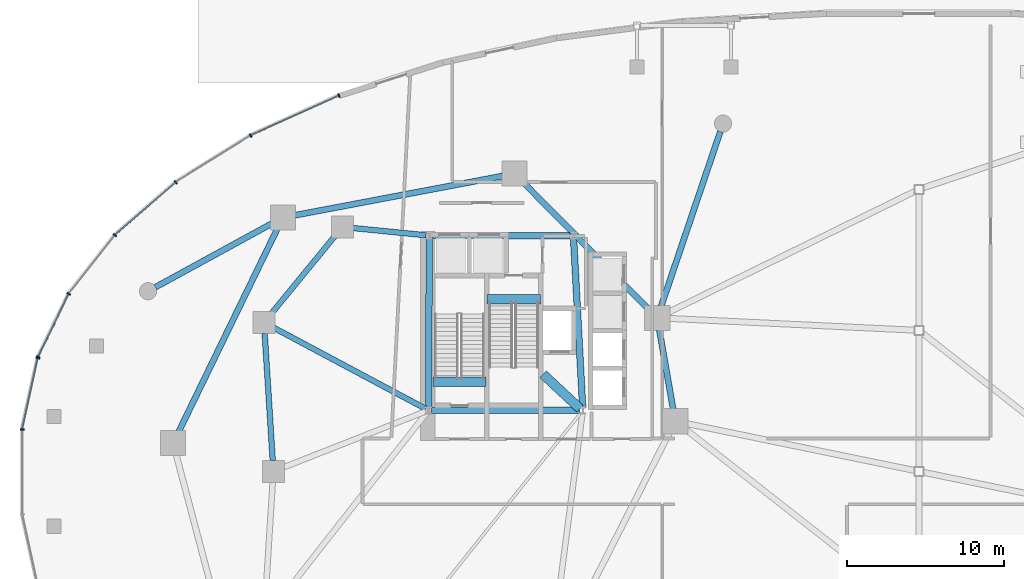
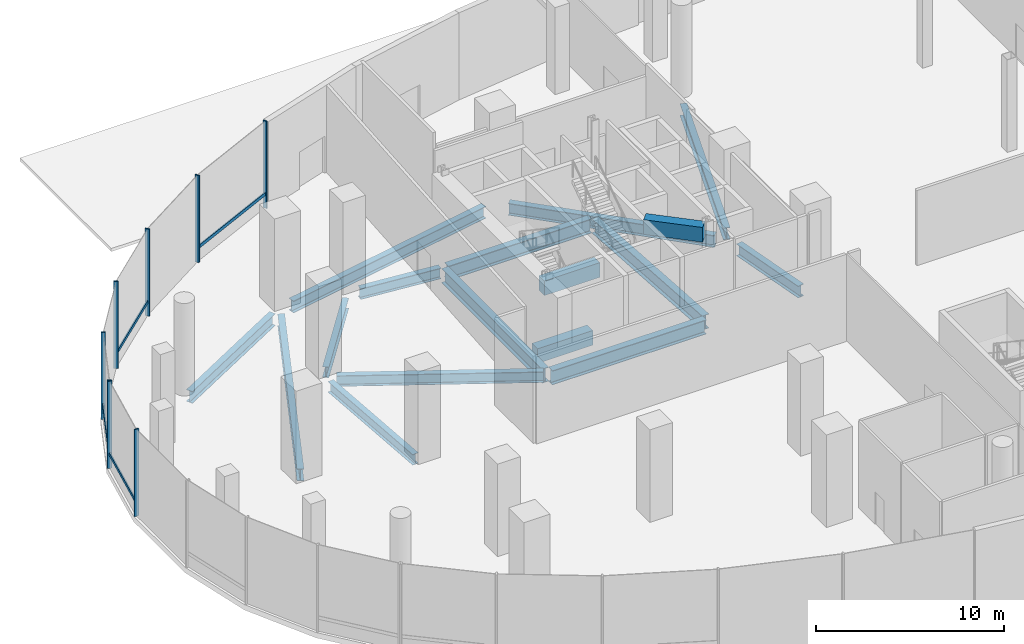
# One storey, part 5 of 20: 17 beams, 12 members, 2 elements without a shape of their own.
"""IFC4 building model written with IfcOpenShell, lengths in metres."""

from ifc_helpers import new_model, si_unit, direction, frame, origin, origin_2d, place, context, subcontext, project, spatial, rectangle, i_section, extrude, material, material_profile, profile_set, type_object, element, aggregate, save


model = new_model("IFC4")

# Units and contexts
model_context = context("Model", 3, precision=1e-05, world=origin(), true_north=direction((0.0, 1.0)))
body_context = subcontext(model_context, "Body", "Model", "MODEL_VIEW")
ifc_project = project(units=[si_unit("LENGTHUNIT", "METRE"), si_unit("AREAUNIT", "SQUARE_METRE"), si_unit("VOLUMEUNIT", "CUBIC_METRE"), si_unit("PLANEANGLEUNIT", "RADIAN"), si_unit("MASSUNIT", "GRAM", prefix="KILO"), si_unit("THERMODYNAMICTEMPERATUREUNIT", "KELVIN"), si_unit("POWERUNIT", "WATT")], contexts=[model_context])

# Site, building, storey
site_placement = place(None, origin())
site = spatial("IfcSite", under=ifc_project, at=site_placement, CompositionType="ELEMENT")
building_placement = place(site_placement, origin())
building = spatial("IfcBuilding", under=site, at=building_placement, Name="Cundina Bronze Exchange", CompositionType="ELEMENT")
storey_placement = place(building_placement, origin())
storey = spatial("IfcBuildingStorey", under=building, at=storey_placement, Name="L00", CompositionType="ELEMENT", Elevation=0.0)

# Beams
ifc_material_1 = material(Name="Concrete C60/75", Category="concrete")
ifc_material_profile_1 = material_profile(ifc_material_1, rectangle(XDim=0.60009765625, YDim=0.949951171875, at=origin_2d()), Name="RC600X950", Category="concrete")
ifc_profile_set_1 = profile_set([ifc_material_profile_1], Name="Concrete C60/75")
beam_type_1 = type_object("IfcBeamType", Name="BM-COUP-RC950", PredefinedType="LINTEL", material=ifc_profile_set_1)
beam_1_placement = place(storey_placement, frame((-31.02001953125, 5.719970703125, -0.47509765625), z_axis=(1.0, 0.0, 0.0), x_axis=(0.0, 1.0, 0.0)))
element("IfcBeam", 1, at=beam_1_placement, inside=storey, type_object=beam_type_1, Name="L00 Stair W1 Landing Header Beam", PredefinedType="LINTEL", context=body_context, shape_type="SweptSolid", body=[
    extrude(rectangle(XDim=0.60009765625, YDim=0.949951171875, at=origin_2d()), origin(), (0.0, 0.0, 1.0), 3.39990234375),
])
beam_2_placement = place(storey_placement, frame((-27.56005859375, 10.97998046875, -0.47509765625), z_axis=(1.0, 0.0, 0.0), x_axis=(0.0, 1.0, 0.0)))
element("IfcBeam", 2, at=beam_2_placement, inside=storey, type_object=beam_type_1, Name="L00 Stair W2 Landing Header Beam", PredefinedType="LINTEL", context=body_context, shape_type="SweptSolid", body=[
    extrude(rectangle(XDim=0.60009765625, YDim=0.949951171875, at=origin_2d()), origin(), (0.0, 0.0, 1.0), 3.400146484375),
])
beam_3_placement = place(storey_placement, frame((-23.989990234375, 6.199951171875, 5.175048828125), z_axis=(0.731490439815, -0.681851696822, 0.0), x_axis=(0.681851696822, 0.731490439815, 0.0)))
element("IfcBeam", 3, at=beam_3_placement, inside=storey, type_object=beam_type_1, Name="L00 W Core Shear Coupling Lintel Beam", PredefinedType="LINTEL", context=body_context, shape_type="SweptSolid", body=[
    extrude(rectangle(XDim=0.60009765625, YDim=0.949951171875, at=origin_2d()), origin(), (0.0, 0.0, 1.0), 3.226318359375),
])
ifc_material_2 = material(Name="Steel ASTM A992 Grade 50", Category="steel")
ifc_material_profile_2 = material_profile(ifc_material_2, i_section(OverallWidth=0.35498046875, OverallDepth=0.695068359375, WebThickness=0.015380859375, FlangeThickness=0.02490234375, FilletRadius=0.01806640625, at=origin_2d()), Name="W27X146", Category="steel")
ifc_profile_set_2 = profile_set([ifc_material_profile_2], Name="Steel ASTM A992 Grade 50")
beam_type_2 = type_object("IfcBeamType", Name="BM-RING-W27", PredefinedType="USERDEFINED", material=ifc_profile_set_2)
beam_4_placement = place(storey_placement, frame((-31.452880859375, 15.070068359375, -0.697509765625), z_axis=(-0.995123484374, 0.098636964914, 0.0), x_axis=(-0.098636964914, -0.995123484374, 0.0)))
element("IfcBeam", 4, at=beam_4_placement, inside=storey, type_object=beam_type_2, Name="L00 W Inner Structural Ring Girder 01", ObjectType="GIRDER", PredefinedType="USERDEFINED", context=body_context, shape_type="SweptSolid", body=[
    extrude(i_section(OverallWidth=0.35498046875, OverallDepth=0.695068359375, WebThickness=0.015380859375, FlangeThickness=0.02490234375, FilletRadius=0.01806640625, at=origin_2d()), origin(), (0.0, 0.0, 1.0), 4.685546875),
])
beam_5_placement = place(storey_placement, frame((-37.236083984375, 15.06787109375, -0.697509765625), z_axis=(-0.633941925234, -0.773380653644, 0.0), x_axis=(0.773380653644, -0.633941925234, 0.0)))
element("IfcBeam", 5, at=beam_5_placement, inside=storey, type_object=beam_type_2, Name="L00 W Inner Structural Ring Girder 02", ObjectType="GIRDER", PredefinedType="USERDEFINED", context=body_context, shape_type="SweptSolid", body=[
    extrude(i_section(OverallWidth=0.35498046875, OverallDepth=0.695068359375, WebThickness=0.015380859375, FlangeThickness=0.02490234375, FilletRadius=0.01806640625, at=origin_2d()), origin(), (0.0, 0.0, 1.0), 6.511474609375),
])
beam_6_placement = place(storey_placement, frame((-41.756591796875, 8.8134765625, -0.697509765625), z_axis=(0.063020359641, -0.998012241544, 0.0), x_axis=(0.998012241544, 0.063020359641, 0.0)))
element("IfcBeam", 6, at=beam_6_placement, inside=storey, type_object=beam_type_2, Name="L00 W Inner Structural Ring Girder 03", ObjectType="GIRDER", PredefinedType="USERDEFINED", context=body_context, shape_type="SweptSolid", body=[
    extrude(i_section(OverallWidth=0.35498046875, OverallDepth=0.695068359375, WebThickness=0.015380859375, FlangeThickness=0.02490234375, FilletRadius=0.01806640625, at=origin_2d()), origin(), (0.0, 0.0, 1.0), 8.14306640625),
])
beam_7_placement = place(storey_placement, frame((-31.47998046875, 3.99609375, -0.697509765625), z_axis=(-0.882354169055, 0.470585933014, 0.0), x_axis=(-0.470585933014, -0.882354169055, 0.0)))
element("IfcBeam", 7, at=beam_7_placement, inside=storey, type_object=beam_type_2, Name="L00 W Core-to-Waist Tie Beam 2", ObjectType="GIRDER", PredefinedType="USERDEFINED", context=body_context, shape_type="SweptSolid", body=[
    extrude(i_section(OverallWidth=0.35498046875, OverallDepth=0.695068359375, WebThickness=0.015380859375, FlangeThickness=0.02490234375, FilletRadius=0.01806640625, at=origin_2d()), origin(), (0.0, 0.0, 1.0), 11.0078125),
])
ifc_material_profile_3 = material_profile(ifc_material_2, i_section(OverallWidth=0.381103515625, OverallDepth=0.77294921875, WebThickness=0.0166015625, FlangeThickness=0.027099609375, FilletRadius=0.01904296875, at=origin_2d()), Name="W30X173", Category="steel")
ifc_profile_set_3 = profile_set([ifc_material_profile_3], Name="Steel ASTM A992 Grade 50")
beam_type_3 = type_object("IfcBeamType", Name="BM-RING-W30", PredefinedType="USERDEFINED", material=ifc_profile_set_3)
beam_8_placement = place(storey_placement, frame((-48.727783203125, 11.758056640625, -0.736572265625), z_axis=(0.877507733759, 0.479562485182, 0.0), x_axis=(-0.479562485182, 0.877507733759, 0.0)))
element("IfcBeam", 8, at=beam_8_placement, inside=storey, type_object=beam_type_3, Name="L00 Podium Colonnade Tie Beam 01", ObjectType="GIRDER", PredefinedType="USERDEFINED", context=body_context, shape_type="SweptSolid", body=[
    extrude(i_section(OverallWidth=0.381103515625, OverallDepth=0.77294921875, WebThickness=0.0166015625, FlangeThickness=0.027099609375, FilletRadius=0.01904296875, at=origin_2d()), origin(), (0.0, 0.0, 1.0), 8.474365234375),
])
beam_9_placement = place(storey_placement, frame((-12.672607421875, 21.6904296875, -0.736572265625), z_axis=(-0.320811837352, -0.947142948564, 0.0), x_axis=(0.947142948564, -0.320811837352, 0.0)))
element("IfcBeam", 9, at=beam_9_placement, inside=storey, type_object=beam_type_3, Name="L00 Podium Colonnade Tie Beam 03", ObjectType="GIRDER", PredefinedType="USERDEFINED", context=body_context, shape_type="SweptSolid", body=[
    extrude(i_section(OverallWidth=0.381103515625, OverallDepth=0.77294921875, WebThickness=0.0166015625, FlangeThickness=0.027099609375, FilletRadius=0.01904296875, at=origin_2d()), origin(), (0.0, 0.0, 1.0), 11.765869140625),
])
beam_10_placement = place(storey_placement, frame((-15.685302734375, 3.976318359375, -0.736572265625), z_axis=(-0.171642817546, 0.985159247627, 0.0), x_axis=(-0.985159247627, -0.171642817546, 0.0)))
element("IfcBeam", 10, at=beam_10_placement, inside=storey, type_object=beam_type_3, Name="L00 W Podium Ring Girder 00", ObjectType="GIRDER", PredefinedType="USERDEFINED", context=body_context, shape_type="SweptSolid", body=[
    extrude(i_section(OverallWidth=0.381103515625, OverallDepth=0.77294921875, WebThickness=0.0166015625, FlangeThickness=0.027099609375, FilletRadius=0.01904296875, at=origin_2d()), origin(), (0.0, 0.0, 1.0), 5.123291015625),
])
beam_11_placement = place(storey_placement, frame((-17.254150390625, 10.360107421875, -0.736572265625), z_axis=(-0.703229241487, 0.710963173391, 0.0), x_axis=(-0.710963173391, -0.703229241487, 0.0)))
element("IfcBeam", 11, at=beam_11_placement, inside=storey, type_object=beam_type_3, Name="L00 W Podium Ring Girder 02", ObjectType="GIRDER", PredefinedType="USERDEFINED", context=body_context, shape_type="SweptSolid", body=[
    extrude(i_section(OverallWidth=0.381103515625, OverallDepth=0.77294921875, WebThickness=0.0166015625, FlangeThickness=0.027099609375, FilletRadius=0.01904296875, at=origin_2d()), origin(), (0.0, 0.0, 1.0), 11.3642578125),
])
beam_12_placement = place(storey_placement, frame((-26.57421875, 18.853515625, -0.736572265625), z_axis=(-0.982569620145, -0.185894974562, 0.0), x_axis=(0.185894974562, -0.982569620145, 0.0)))
element("IfcBeam", 12, at=beam_12_placement, inside=storey, type_object=beam_type_3, Name="L00 W Podium Ring Girder 04", ObjectType="GIRDER", PredefinedType="USERDEFINED", context=body_context, shape_type="SweptSolid", body=[
    extrude(i_section(OverallWidth=0.381103515625, OverallDepth=0.77294921875, WebThickness=0.0166015625, FlangeThickness=0.027099609375, FilletRadius=0.01904296875, at=origin_2d()), origin(), (0.0, 0.0, 1.0), 13.486572265625),
])
beam_13_placement = place(storey_placement, frame((-40.944580078125, 15.4912109375, -0.736572265625), z_axis=(-0.437200307007, -0.899364159589, 0.0), x_axis=(0.899364159589, -0.437200307007, 0.0)))
element("IfcBeam", 13, at=beam_13_placement, inside=storey, type_object=beam_type_3, Name="L00 W Podium Ring Girder 06", ObjectType="GIRDER", PredefinedType="USERDEFINED", context=body_context, shape_type="SweptSolid", body=[
    extrude(i_section(OverallWidth=0.381103515625, OverallDepth=0.77294921875, WebThickness=0.0166015625, FlangeThickness=0.027099609375, FilletRadius=0.01904296875, at=origin_2d()), origin(), (0.0, 0.0, 1.0), 14.43505859375),
])
ifc_material_profile_4 = material_profile(ifc_material_2, i_section(OverallWidth=0.41796875, OverallDepth=0.927001953125, WebThickness=0.019287109375, FlangeThickness=0.031982421875, FilletRadius=0.02392578125, at=origin_2d()), Name="W36X231", Category="steel")
ifc_profile_set_4 = profile_set([ifc_material_profile_4], Name="Steel ASTM A992 Grade 50")
beam_type_4 = type_object("IfcBeamType", Name="BM-WRN-W36B", PredefinedType="USERDEFINED", material=ifc_profile_set_4)
beam_14_placement = place(storey_placement, frame((-31.095947265625, 3.89990234375, -0.8134765625), z_axis=(1.0, 0.0, 0.0), x_axis=(0.0, 1.0, 0.0)))
element("IfcBeam", 14, at=beam_14_placement, inside=storey, type_object=beam_type_4, Name="L00 W Core Perimeter Tie Girder 1", ObjectType="GIRDER", PredefinedType="USERDEFINED", context=body_context, shape_type="SweptSolid", body=[
    extrude(i_section(OverallWidth=0.41796875, OverallDepth=0.927001953125, WebThickness=0.019287109375, FlangeThickness=0.031982421875, FilletRadius=0.02392578125, at=origin_2d()), origin(), (0.0, 0.0, 1.0), 9.44189453125),
])
beam_15_placement = place(storey_placement, frame((-21.4609375, 4.103759765625, -0.8134765625), z_axis=(-0.053739193498, 0.998555005537, 0.0), x_axis=(-0.998555005537, -0.053739193498, 0.0)))
element("IfcBeam", 15, at=beam_15_placement, inside=storey, type_object=beam_type_4, Name="L00 W Core Perimeter Tie Girder 2", ObjectType="GIRDER", PredefinedType="USERDEFINED", context=body_context, shape_type="SweptSolid", body=[
    extrude(i_section(OverallWidth=0.41796875, OverallDepth=0.927001953125, WebThickness=0.019287109375, FlangeThickness=0.031982421875, FilletRadius=0.02392578125, at=origin_2d()), origin(), (0.0, 0.0, 1.0), 10.758056640625),
])
beam_16_placement = place(storey_placement, frame((-22.25390625, 15.050048828125, -0.8134765625), z_axis=(-1.0, 0.0, 0.0), x_axis=(0.0, -1.0, 0.0)))
element("IfcBeam", 16, at=beam_16_placement, inside=storey, type_object=beam_type_4, Name="L00 W Core Perimeter Tie Girder 3", ObjectType="GIRDER", PredefinedType="USERDEFINED", context=body_context, shape_type="SweptSolid", body=[
    extrude(i_section(OverallWidth=0.41796875, OverallDepth=0.927001953125, WebThickness=0.019287109375, FlangeThickness=0.031982421875, FilletRadius=0.02392578125, at=origin_2d()), origin(), (0.0, 0.0, 1.0), 8.7919921875),
])
beam_17_placement = place(storey_placement, frame((-31.2509765625, 14.845947265625, -0.8134765625), z_axis=(-0.004477329608, -0.99998997671, 0.0), x_axis=(0.99998997671, -0.004477329608, 0.0)))
element("IfcBeam", 17, at=beam_17_placement, inside=storey, type_object=beam_type_4, Name="L00 W Core Perimeter Tie Girder 4", ObjectType="GIRDER", PredefinedType="USERDEFINED", context=body_context, shape_type="SweptSolid", body=[
    extrude(i_section(OverallWidth=0.41796875, OverallDepth=0.927001953125, WebThickness=0.019287109375, FlangeThickness=0.031982421875, FilletRadius=0.02392578125, at=origin_2d()), origin(), (0.0, 0.0, 1.0), 10.741943359375),
])

# Curtain wall, members
ifc_material_3 = material(Name="Anodised Bronze Aluminium 6063-T6", Category="aluminium")
curtain_wall_type = type_object("IfcCurtainWallType", Name="CWS-POD-CONC", PredefinedType="NOTDEFINED", material=ifc_material_3)
curtain_wall_1_placement = place(storey_placement, origin())
curtain_wall_1 = element("IfcCurtainWall", 18, at=curtain_wall_1_placement, inside=storey, type_object=curtain_wall_type, Name="L00 CW-01 Curtain Wall Run CWR-L00-03", PredefinedType="NOTDEFINED")
ifc_material_profile_5 = material_profile(ifc_material_3, rectangle(XDim=0.0849609375, YDim=0.25, at=origin_2d()), Name="AL85X250", Category="aluminium")
ifc_profile_set_5 = profile_set([ifc_material_profile_5], Name="Anodised Bronze Aluminium 6063-T6")
member_type_1 = type_object("IfcMemberType", Name="CWM-MUL-250", PredefinedType="MULLION", material=ifc_profile_set_5)
member_1_placement = place(storey_placement, frame((-37.013671875, 23.990478515625, 0.0), z_axis=(0.0, 0.0, 1.0), x_axis=(-0.911618620107, -0.411037092578, 0.0)))
member_1 = element("IfcMember", 19, at=member_1_placement, type_object=member_type_1, Name="CW-01 Mullion 1", PredefinedType="MULLION", context=body_context, shape_type="SweptSolid", body=[
    extrude(rectangle(XDim=0.0849609375, YDim=0.25, at=origin_2d()), origin(), (0.0, 0.0, 1.0), 5.64990234375),
])
member_2_placement = place(storey_placement, frame((-42.654052734375, 21.4404296875, 0.0), z_axis=(0.0, 0.0, 1.0), x_axis=(-0.849248260906, -0.527993741769, 0.0)))
member_2 = element("IfcMember", 20, at=member_2_placement, type_object=member_type_1, Name="CW-01 Mullion 2", PredefinedType="MULLION", context=body_context, shape_type="SweptSolid", body=[
    extrude(rectangle(XDim=0.0849609375, YDim=0.25, at=origin_2d()), origin(), (0.0, 0.0, 1.0), 5.64990234375),
])
member_3_placement = place(storey_placement, frame((-47.43701171875, 18.45849609375, 0.0), z_axis=(0.0, 0.0, 1.0), x_axis=(-0.755510544084, -0.6551364879, 0.0)))
member_3 = element("IfcMember", 21, at=member_3_placement, type_object=member_type_1, Name="CW-01 Mullion 3", PredefinedType="MULLION", context=body_context, shape_type="SweptSolid", body=[
    extrude(rectangle(XDim=0.0849609375, YDim=0.25, at=origin_2d()), origin(), (0.0, 0.0, 1.0), 5.64990234375),
])
member_4_placement = place(storey_placement, frame((-51.320068359375, 15.08056640625, 0.0), z_axis=(0.0, 0.0, 1.0), x_axis=(-0.61950505541, -0.784992666412, 0.0)))
member_4 = element("IfcMember", 22, at=member_4_placement, type_object=member_type_1, Name="CW-01 Mullion 4", PredefinedType="MULLION", context=body_context, shape_type="SweptSolid", body=[
    extrude(rectangle(XDim=0.0849609375, YDim=0.25, at=origin_2d()), origin(), (0.0, 0.0, 1.0), 5.64990234375),
])
member_5_placement = place(storey_placement, frame((-54.263427734375, 11.335205078125, 0.0), z_axis=(0.0, 0.0, 1.0), x_axis=(-0.435702445497, -0.900090761528, 0.0)))
member_5 = element("IfcMember", 23, at=member_5_placement, type_object=member_type_1, Name="CW-01 Mullion 5", PredefinedType="MULLION", context=body_context, shape_type="SweptSolid", body=[
    extrude(rectangle(XDim=0.0849609375, YDim=0.25, at=origin_2d()), origin(), (0.0, 0.0, 1.0), 5.64990234375),
])
member_6_placement = place(storey_placement, frame((-56.211669921875, 7.311279296875, 0.0), z_axis=(0.0, 0.0, 1.0), x_axis=(-0.435702445497, -0.900090761528, 0.0)))
member_6 = element("IfcMember", 24, at=member_6_placement, type_object=member_type_1, Name="CW-01 End Mullion", PredefinedType="MULLION", context=body_context, shape_type="SweptSolid", body=[
    extrude(rectangle(XDim=0.0849609375, YDim=0.25, at=origin_2d()), origin(), (0.0, 0.0, 1.0), 5.64990234375),
])

curtain_wall_2_placement = place(storey_placement, origin())
curtain_wall_2 = element("IfcCurtainWall", 25, at=curtain_wall_2_placement, inside=storey, type_object=curtain_wall_type, Name="L00 CW-01 Curtain Wall Run CWR-L00-04", PredefinedType="NOTDEFINED")
member_7_placement = place(storey_placement, frame((-56.239013671875, 7.231689453125, 0.0), z_axis=(0.0, 0.0, 1.0), x_axis=(-0.214564862428, -0.976709741843, 0.0)))
member_7 = element("IfcMember", 26, at=member_7_placement, type_object=member_type_1, Name="CW-01 Mullion 1", PredefinedType="MULLION", context=body_context, shape_type="SweptSolid", body=[
    extrude(rectangle(XDim=0.0849609375, YDim=0.25, at=origin_2d()), origin(), (0.0, 0.0, 1.0), 5.64990234375),
])
member_8_placement = place(storey_placement, frame((-57.22900390625, 2.680419921875, 0.0), z_axis=(0.0, 0.0, 1.0), x_axis=(0.0, -1.0, 0.0)))
member_8 = element("IfcMember", 27, at=member_8_placement, type_object=member_type_1, Name="CW-01 Mullion 2", PredefinedType="MULLION", context=body_context, shape_type="SweptSolid", body=[
    extrude(rectangle(XDim=0.0849609375, YDim=0.25, at=origin_2d()), origin(), (0.0, 0.0, 1.0), 5.64990234375),
])

# Member
ifc_material_profile_6 = material_profile(ifc_material_3, rectangle(XDim=0.080078125, YDim=0.2099609375, at=origin_2d()), Name="AL80X210", Category="aluminium")
ifc_profile_set_6 = profile_set([ifc_material_profile_6], Name="Anodised Bronze Aluminium 6063-T6")
member_type_2 = type_object("IfcMemberType", Name="CWM-TRN-210", PredefinedType="USERDEFINED", material=ifc_profile_set_6)
member_9_placement = place(storey_placement, frame((-37.056396484375, 23.97119140625, 0.919921875), z_axis=(-0.911641535198, -0.410986266561, 0.0), x_axis=(0.410986266561, -0.911641535198, 0.0)))
member_9 = element("IfcMember", 28, at=member_9_placement, type_object=member_type_2, Name="CW-01 Spandrel Transom 1", ObjectType="TRANSOM", PredefinedType="USERDEFINED", context=body_context, shape_type="SweptSolid", body=[
    extrude(rectangle(XDim=0.080078125, YDim=0.2099609375, at=origin_2d()), origin(), (0.0, 0.0, 1.0), 6.090576171875),
])

member_10_placement = place(storey_placement, frame((-47.472412109375, 18.427734375, 0.919921875), z_axis=(-0.755563201238, -0.655075758164, 0.0), x_axis=(0.655075758164, -0.755563201238, 0.0)))
member_10 = element("IfcMember", 29, at=member_10_placement, type_object=member_type_2, Name="CW-01 Spandrel Transom 3", ObjectType="TRANSOM", PredefinedType="USERDEFINED", context=body_context, shape_type="SweptSolid", body=[
    extrude(rectangle(XDim=0.080078125, YDim=0.2099609375, at=origin_2d()), origin(), (0.0, 0.0, 1.0), 5.055908203125),
])

member_11_placement = place(storey_placement, frame((-54.28369140625, 11.293212890625, 0.919921875), z_axis=(-0.435776682523, -0.900054822202, 0.0), x_axis=(0.900054822202, -0.435776682523, 0.0)))
member_11 = element("IfcMember", 30, at=member_11_placement, type_object=member_type_2, Name="CW-01 Spandrel Transom 5", ObjectType="TRANSOM", PredefinedType="USERDEFINED", context=body_context, shape_type="SweptSolid", body=[
    extrude(rectangle(XDim=0.080078125, YDim=0.2099609375, at=origin_2d()), origin(), (0.0, 0.0, 1.0), 4.377197265625),
])

aggregate(curtain_wall_1, [member_1, member_9, member_2, member_3, member_10, member_4, member_5, member_6, member_11])

member_12_placement = place(storey_placement, frame((-56.249267578125, 7.18603515625, 0.919921875), z_axis=(-0.214447065297, -0.976735612224, 0.0), x_axis=(0.976735612224, -0.214447065297, 0.0)))
member_12 = element("IfcMember", 31, at=member_12_placement, type_object=member_type_2, Name="CW-01 Spandrel Transom 1", ObjectType="TRANSOM", PredefinedType="USERDEFINED", context=body_context, shape_type="SweptSolid", body=[
    extrude(rectangle(XDim=0.080078125, YDim=0.2099609375, at=origin_2d()), origin(), (0.0, 0.0, 1.0), 4.571044921875),
])

aggregate(curtain_wall_2, [member_7, member_12, member_8])

save(model, "model.ifc")
